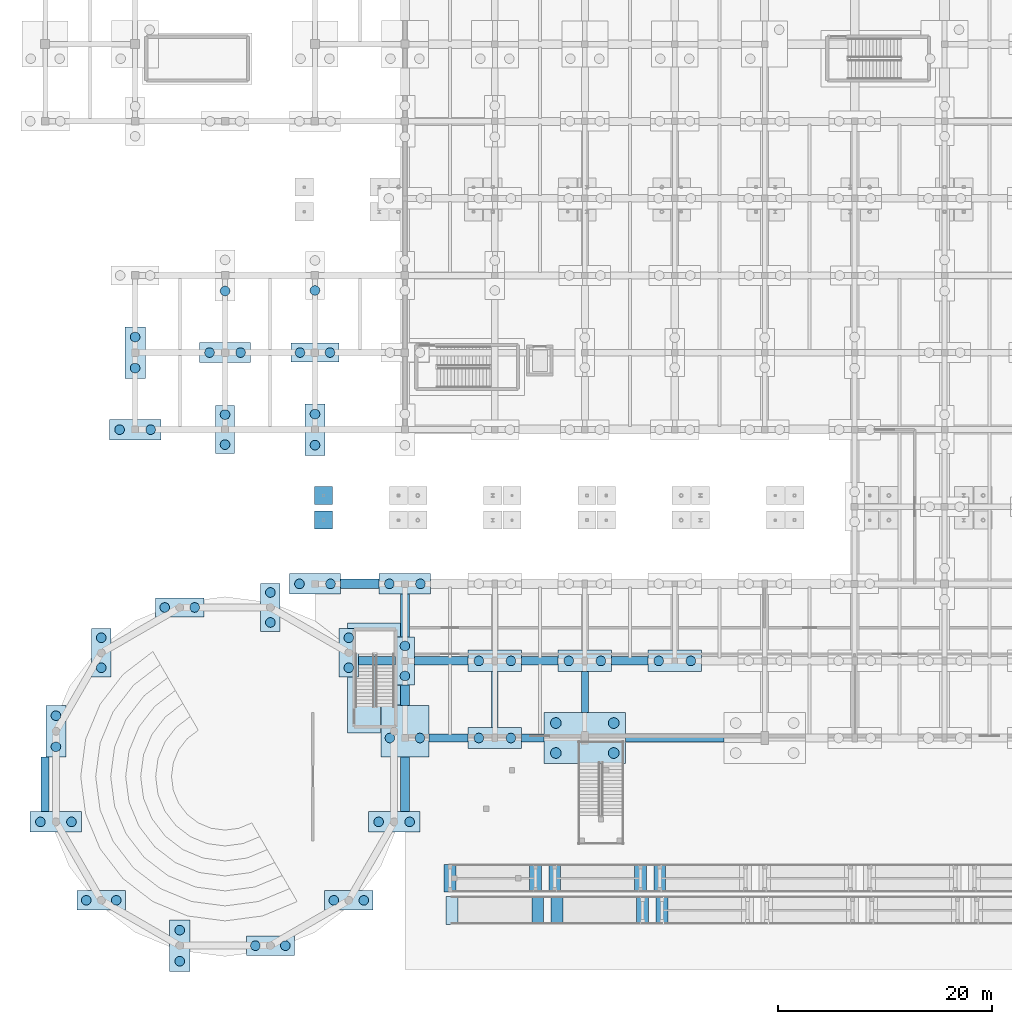
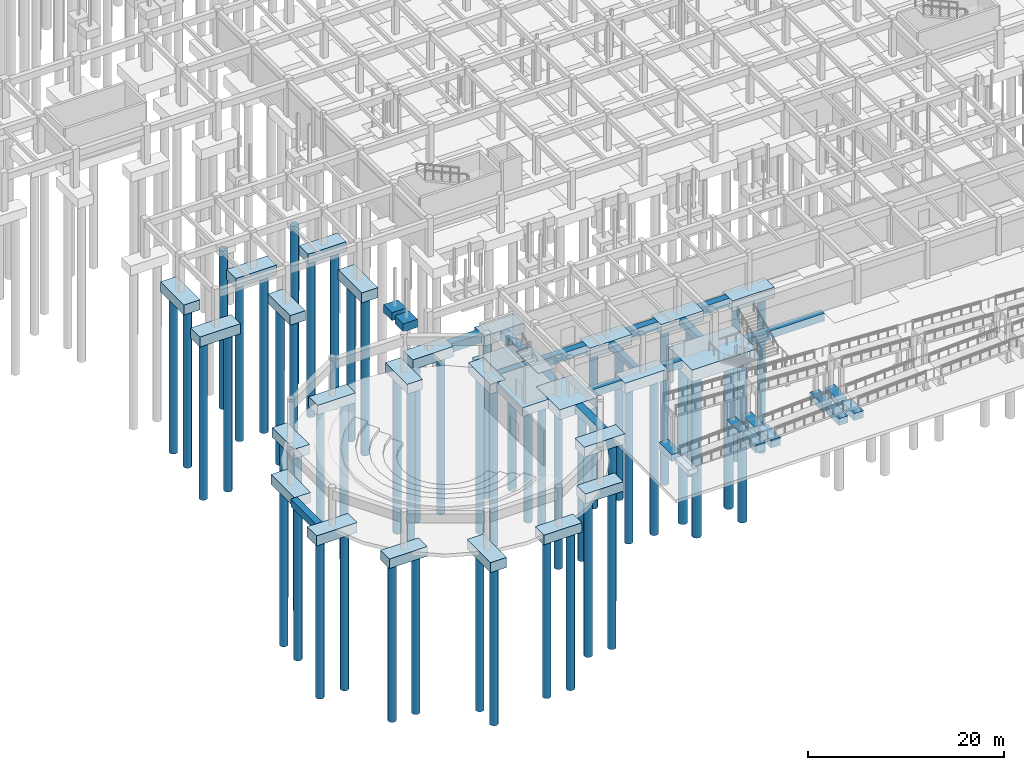
# One storey, part 1 of 80: 56 piles, 53 footings.
"""IFC4 building model written with IfcOpenShell, lengths in metres."""

from ifc_helpers import new_model, si_unit, direction, frame, origin, origin_2d, place, context, subcontext, project, spatial, polyline, rectangle, circle, outline, extrude, material, material_profile, profile_set, type_object, element, save


model = new_model("IFC4")

# Units and contexts
model_context = context("Model", 3, precision=1e-05, world=origin(), true_north=direction((0.0, 1.0)))
body_context = subcontext(model_context, "Body", "Model", "MODEL_VIEW")
ifc_project = project(units=[si_unit("LENGTHUNIT", "METRE"), si_unit("AREAUNIT", "SQUARE_METRE"), si_unit("VOLUMEUNIT", "CUBIC_METRE"), si_unit("PLANEANGLEUNIT", "RADIAN"), si_unit("MASSUNIT", "GRAM", prefix="KILO")], contexts=[model_context])

# Site, building, storey
site_placement = place(None, origin())
site = spatial("IfcSite", under=ifc_project, at=site_placement, CompositionType="ELEMENT")
building_placement = place(site_placement, origin())
building = spatial("IfcBuilding", under=site, at=building_placement, Name="Malvenik Polytechnic", CompositionType="ELEMENT")
storey_placement = place(building_placement, frame((0.0, 0.0, -4.800048828125)))
storey = spatial("IfcBuildingStorey", under=building, at=storey_placement, Name="B1", CompositionType="ELEMENT", Elevation=-4.800048828125)

# Footings
ifc_material = material(Name="Concrete C35/45", Category="concrete")
footing_type_1 = type_object("IfcFootingType", Name="STR-PC-1800x4500x1200", PredefinedType="PILE_CAP", material=ifc_material)
for number, where, z_axis, x_axis, name in (
    (1, (5.239013671875, 6.43896484375, -1.19970703125), (0.0, 0.0, 1.0), (1.0, 0.0, 0.0), "Pile Cap PC-01 #9"),
    (2, (12.568115234375, 33.79296875, -1.19970703125), (0.0, 0.0, 1.0), (1.0, 0.0, 0.0), "Pile Cap PC-01 #21"),
    (3, (21.031982421875, 2.20703125, -1.19970703125), (0.0, 0.0, 1.0), (1.0, 0.0, 0.0), "Pile Cap PC-01 #29"),
    (4, (25.199951171875, 57.60009765625, -1.19970703125), (0.0, 0.0, 1.0), (1.0, 0.0, 0.0), "Pile Cap PC-01 #33"),
    (5, (28.361083984375, 6.43896484375, -1.19970703125), (0.0, 0.0, 1.0), (1.0, 0.0, 0.0), "Pile Cap PC-01 #41"),
):
    element("IfcFooting", number, at=place(storey_placement, frame(where, z_axis=z_axis, x_axis=x_axis)), inside=storey, type_object=footing_type_1, Name=name, PredefinedType="PILE_CAP", context=body_context, shape_type="SweptSolid", body=[
        extrude(rectangle(XDim=4.5, YDim=1.800048828125, at=origin_2d()), origin(), (0.0, 0.0, 1.0), 1.199951171875),
    ])
footing_type_2 = type_object("IfcFootingType", Name="STR-PC-1900x4800x1250", PredefinedType="PILE_CAP", material=ifc_material)
for number, where, z_axis, x_axis, name in (
    (6, (1.007080078125, 13.76806640625, -1.25), (0.0, 0.0, 1.0), (1.0, 0.0, 0.0), "Pile Cap PC-13 #7"),
    (7, (8.39990234375, 50.39990234375, -1.25), (0.0, 0.0, 1.0), (1.0, 0.0, 0.0), "Pile Cap PC-13 #11"),
    (8, (16.800048828125, 57.60009765625, -1.25), (0.0, 0.0, 1.0), (1.0, 0.0, 0.0), "Pile Cap PC-13 #23"),
    (9, (25.199951171875, 36.0, -1.25), (0.0, 0.0, 1.0), (1.0, 0.0, 0.0), "Pile Cap PC-13 #31"),
    (10, (32.593017578125, 13.76806640625, -1.25), (0.0, 0.0, 1.0), (1.0, 0.0, 0.0), "Pile Cap PC-13 #43"),
    (11, (33.60009765625, 36.0, -1.25), (0.0, 0.0, 1.0), (1.0, 0.0, 0.0), "Pile Cap PC-13 #46"),
):
    element("IfcFooting", number, at=place(storey_placement, frame(where, z_axis=z_axis, x_axis=x_axis)), inside=storey, type_object=footing_type_2, Name=name, PredefinedType="PILE_CAP", context=body_context, shape_type="SweptSolid", body=[
        extrude(rectangle(XDim=4.800048828125, YDim=1.89990234375, at=origin_2d()), origin(), (0.0, 0.0, 1.0), 1.25),
    ])
footing_type_3 = type_object("IfcFootingType", Name="STR-PC-2000x5000x1300", PredefinedType="PILE_CAP", material=ifc_material)
for number, where, z_axis, x_axis, name in (
    (12, (42.0, 21.60009765625, -1.2998046875), (0.0, 0.0, 1.0), (1.0, 0.0, 0.0), "Pile Cap PC-03 #57"),
    (13, (42.0, 28.800048828125, -1.2998046875), (0.0, 0.0, 1.0), (1.0, 0.0, 0.0), "Pile Cap PC-03 #58"),
    (14, (50.39990234375, 28.800048828125, -1.2998046875), (0.0, 0.0, 1.0), (1.0, 0.0, 0.0), "Pile Cap PC-03 #70"),
    (15, (58.800048828125, 28.800048828125, -1.2998046875), (0.0, 0.0, 1.0), (1.0, 0.0, 0.0), "Pile Cap PC-03 #82"),
):
    element("IfcFooting", number, at=place(storey_placement, frame(where, z_axis=z_axis, x_axis=x_axis)), inside=storey, type_object=footing_type_3, Name=name, PredefinedType="PILE_CAP", context=body_context, shape_type="SweptSolid", body=[
        extrude(rectangle(XDim=5.0, YDim=2.0, at=origin_2d()), origin(), (0.0, 0.0, 1.0), 1.300048828125),
    ])
footing_type_4 = type_object("IfcFootingType", Name="STR-PC-4500x1800x1200", PredefinedType="PILE_CAP", material=ifc_material)
for number, where, z_axis, x_axis, name in (
    (16, (5.239013671875, 29.56103515625, -1.19970703125), (0.0, 0.0, 1.0), (1.0, 0.0, 0.0), "Pile Cap PC-02 #10"),
    (17, (16.800048828125, 50.39990234375, -1.19970703125), (0.0, 0.0, 1.0), (1.0, 0.0, 0.0), "Pile Cap PC-02 #22"),
    (18, (21.031982421875, 33.79296875, -1.19970703125), (0.0, 0.0, 1.0), (1.0, 0.0, 0.0), "Pile Cap PC-02 #30"),
    (19, (28.361083984375, 29.56103515625, -1.19970703125), (0.0, 0.0, 1.0), (1.0, 0.0, 0.0), "Pile Cap PC-02 #42"),
    (20, (33.60009765625, 28.800048828125, -1.19970703125), (0.0, 0.0, 1.0), (1.0, 0.0, 0.0), "Pile Cap PC-02 #45"),
):
    element("IfcFooting", number, at=place(storey_placement, frame(where, z_axis=z_axis, x_axis=x_axis)), inside=storey, type_object=footing_type_4, Name=name, PredefinedType="PILE_CAP", context=body_context, shape_type="SweptSolid", body=[
        extrude(rectangle(XDim=1.800048828125, YDim=4.5, at=origin_2d()), origin(), (0.0, 0.0, 1.0), 1.199951171875),
    ])
footing_type_5 = type_object("IfcFootingType", Name="STR-PC-4800x1900x1250", PredefinedType="PILE_CAP", material=ifc_material)
for number, where, z_axis, x_axis, name in (
    (21, (1.007080078125, 22.23193359375, -1.25), (0.0, 0.0, 1.0), (1.0, 0.0, 0.0), "Pile Cap PC-14 #8"),
    (22, (8.39990234375, 57.60009765625, -1.25), (0.0, 0.0, 1.0), (1.0, 0.0, 0.0), "Pile Cap PC-14 #12"),
    (23, (12.568115234375, 2.20703125, -1.25), (0.0, 0.0, 1.0), (1.0, 0.0, 0.0), "Pile Cap PC-14 #20"),
    (24, (25.199951171875, 50.39990234375, -1.25), (0.0, 0.0, 1.0), (1.0, 0.0, 0.0), "Pile Cap PC-14 #32"),
):
    element("IfcFooting", number, at=place(storey_placement, frame(where, z_axis=z_axis, x_axis=x_axis)), inside=storey, type_object=footing_type_5, Name=name, PredefinedType="PILE_CAP", context=body_context, shape_type="SweptSolid", body=[
        extrude(rectangle(XDim=1.89990234375, YDim=4.800048828125, at=origin_2d()), origin(), (0.0, 0.0, 1.0), 1.25),
    ])
footing_type_6 = type_object("IfcFootingType", Name="STR-PC-COMB-12", PredefinedType="PILE_CAP", material=ifc_material)
footing_1_placement = place(storey_placement, frame((33.60009765625, 22.23193359375, -1.25), z_axis=(0.0, 0.0, 1.0), x_axis=(1.0, 0.0, 0.0)))
element("IfcFooting", 25, at=footing_1_placement, inside=storey, type_object=footing_type_6, Name="Pile Cap PCC-12 #44", PredefinedType="PILE_CAP", context=body_context, shape_type="SweptSolid", body=[
    extrude(rectangle(XDim=4.5, YDim=4.800048828125, at=origin_2d()), origin(), (0.0, 0.0, 1.0), 1.25),
])
footing_type_7 = type_object("IfcFootingType", Name="STR-PC-COMB-19", PredefinedType="PILE_CAP", material=ifc_material)
footing_2_placement = place(storey_placement, frame((50.39990234375, 21.60009765625, -1.5), z_axis=(0.0, 0.0, 1.0), x_axis=(1.0, 0.0, 0.0)))
element("IfcFooting", 26, at=footing_2_placement, inside=storey, type_object=footing_type_7, Name="Pile Cap PCC-19 #69", PredefinedType="PILE_CAP", context=body_context, shape_type="SweptSolid", body=[
    extrude(rectangle(XDim=7.60009765625, YDim=4.800048828125, at=origin_2d()), origin(), (0.0, 0.0, 1.0), 1.5),
])

# Piles
ifc_material_profile_1 = material_profile(ifc_material, circle(Radius=0.5, at=origin_2d()), Name="BORED PILE D1000")
ifc_profile_set_1 = profile_set([ifc_material_profile_1], Name="Concrete C35/45")
pile_type_1 = type_object("IfcPileType", Name="STR-PL-D1000-202", PredefinedType="BORED", material=ifc_profile_set_1)
for number, where, z_axis, x_axis, name in (
    (27, (47.699951171875, 20.199951171875, -1.39990234375), (0.0, 0.0, -1.0), (1.0, 0.0, 0.0), "Bored Pile PL-06 #159"),
    (28, (47.699951171875, 23.0, -1.39990234375), (0.0, 0.0, -1.0), (1.0, 0.0, 0.0), "Bored Pile PL-06 #160"),
    (29, (53.10009765625, 20.199951171875, -1.39990234375), (0.0, 0.0, -1.0), (1.0, 0.0, 0.0), "Bored Pile PL-06 #161"),
    (30, (53.10009765625, 23.0, -1.39990234375), (0.0, 0.0, -1.0), (1.0, 0.0, 0.0), "Bored Pile PL-06 #162"),
):
    element("IfcPile", number, at=place(storey_placement, frame(where, z_axis=z_axis, x_axis=x_axis)), inside=storey, type_object=pile_type_1, Name=name, PredefinedType="BORED", context=body_context, shape_type="SweptSolid", body=[
        extrude(circle(Radius=0.5, at=origin_2d()), origin(), (0.0, 0.0, 1.0), 20.199951171875),
    ])
ifc_material_profile_2 = material_profile(ifc_material, circle(Radius=0.449951171875, at=origin_2d()), Name="BORED PILE D900")
ifc_profile_set_2 = profile_set([ifc_material_profile_2], Name="Concrete C35/45")
pile_type_2 = type_object("IfcPileType", Name="STR-PL-D900-195", PredefinedType="BORED", material=ifc_profile_set_2)
for number, where, z_axis, x_axis, name in (
    (31, (40.5, 21.60009765625, -1.199951171875), (0.0, 0.0, -1.0), (1.0, 0.0, 0.0), "Bored Pile PL-01 #131"),
    (32, (43.5, 21.60009765625, -1.199951171875), (0.0, 0.0, -1.0), (1.0, 0.0, 0.0), "Bored Pile PL-01 #132"),
    (33, (40.5, 28.800048828125, -1.199951171875), (0.0, 0.0, -1.0), (1.0, 0.0, 0.0), "Bored Pile PL-01 #133"),
    (34, (43.5, 28.800048828125, -1.199951171875), (0.0, 0.0, -1.0), (1.0, 0.0, 0.0), "Bored Pile PL-01 #134"),
    (35, (48.89990234375, 28.800048828125, -1.199951171875), (0.0, 0.0, -1.0), (1.0, 0.0, 0.0), "Bored Pile PL-01 #163"),
    (36, (51.89990234375, 28.800048828125, -1.199951171875), (0.0, 0.0, -1.0), (1.0, 0.0, 0.0), "Bored Pile PL-01 #164"),
    (37, (57.300048828125, 28.800048828125, -1.199951171875), (0.0, 0.0, -1.0), (1.0, 0.0, 0.0), "Bored Pile PL-01 #191"),
    (38, (60.300048828125, 28.800048828125, -1.199951171875), (0.0, 0.0, -1.0), (1.0, 0.0, 0.0), "Bored Pile PL-01 #192"),
):
    element("IfcPile", number, at=place(storey_placement, frame(where, z_axis=z_axis, x_axis=x_axis)), inside=storey, type_object=pile_type_2, Name=name, PredefinedType="BORED", context=body_context, shape_type="SweptSolid", body=[
        extrude(circle(Radius=0.449951171875, at=origin_2d()), origin(), (0.0, 0.0, 1.0), 19.5),
    ])
ifc_material_profile_3 = material_profile(ifc_material, circle(Radius=0.449951171875, at=origin_2d()), Name="BORED PILE D900")
ifc_profile_set_3 = profile_set([ifc_material_profile_3], Name="Concrete C35/45")
pile_type_3 = type_object("IfcPileType", Name="STR-PL-D900-198", PredefinedType="BORED", material=ifc_profile_set_3)
for number, where, z_axis, x_axis, name in (
    (39, (-0.443115234375, 13.76806640625, -1.14990234375), (0.0, 0.0, -1.0), (1.0, 0.0, 0.0), "Bored Pile PL-02 #17"),
    (40, (2.45703125, 13.76806640625, -1.14990234375), (0.0, 0.0, -1.0), (1.0, 0.0, 0.0), "Bored Pile PL-02 #18"),
    (41, (1.007080078125, 20.781982421875, -1.14990234375), (0.0, 0.0, -1.0), (1.0, 0.0, 0.0), "Bored Pile PL-02 #19"),
    (42, (1.007080078125, 23.681884765625, -1.14990234375), (0.0, 0.0, -1.0), (1.0, 0.0, 0.0), "Bored Pile PL-02 #20"),
    (43, (3.839111328125, 6.43896484375, -1.099853515625), (0.0, 0.0, -1.0), (1.0, 0.0, 0.0), "Bored Pile PL-02 #21"),
    (44, (6.638916015625, 6.43896484375, -1.099853515625), (0.0, 0.0, -1.0), (1.0, 0.0, 0.0), "Bored Pile PL-02 #22"),
    (45, (5.239013671875, 28.160888671875, -1.099853515625), (0.0, 0.0, -1.0), (1.0, 0.0, 0.0), "Bored Pile PL-02 #23"),
    (46, (5.239013671875, 30.9609375, -1.099853515625), (0.0, 0.0, -1.0), (1.0, 0.0, 0.0), "Bored Pile PL-02 #24"),
    (47, (6.949951171875, 50.39990234375, -1.14990234375), (0.0, 0.0, -1.0), (1.0, 0.0, 0.0), "Bored Pile PL-02 #25"),
    (48, (9.85009765625, 50.39990234375, -1.14990234375), (0.0, 0.0, -1.0), (1.0, 0.0, 0.0), "Bored Pile PL-02 #26"),
    (49, (8.39990234375, 56.14990234375, -1.14990234375), (0.0, 0.0, -1.0), (1.0, 0.0, 0.0), "Bored Pile PL-02 #27"),
    (50, (8.39990234375, 59.050048828125, -1.14990234375), (0.0, 0.0, -1.0), (1.0, 0.0, 0.0), "Bored Pile PL-02 #28"),
    (51, (12.568115234375, 0.757080078125, -1.14990234375), (0.0, 0.0, -1.0), (1.0, 0.0, 0.0), "Bored Pile PL-02 #47"),
    (52, (12.568115234375, 3.656982421875, -1.14990234375), (0.0, 0.0, -1.0), (1.0, 0.0, 0.0), "Bored Pile PL-02 #48"),
    (53, (11.16796875, 33.79296875, -1.099853515625), (0.0, 0.0, -1.0), (1.0, 0.0, 0.0), "Bored Pile PL-02 #49"),
    (54, (13.968017578125, 33.79296875, -1.099853515625), (0.0, 0.0, -1.0), (1.0, 0.0, 0.0), "Bored Pile PL-02 #50"),
    (55, (16.800048828125, 49.0, -1.099853515625), (0.0, 0.0, -1.0), (1.0, 0.0, 0.0), "Bored Pile PL-02 #51"),
    (56, (16.800048828125, 51.800048828125, -1.099853515625), (0.0, 0.0, -1.0), (1.0, 0.0, 0.0), "Bored Pile PL-02 #52"),
    (57, (15.35009765625, 57.60009765625, -1.14990234375), (0.0, 0.0, -1.0), (1.0, 0.0, 0.0), "Bored Pile PL-02 #53"),
    (58, (18.25, 57.60009765625, -1.14990234375), (0.0, 0.0, -1.0), (1.0, 0.0, 0.0), "Bored Pile PL-02 #54"),
    (59, (16.800048828125, 63.35009765625, -1.14990234375), (0.0, 0.0, -1.0), (1.0, 0.0, 0.0), "Bored Pile PL-02 #55"),
    (60, (19.632080078125, 2.20703125, -1.099853515625), (0.0, 0.0, -1.0), (1.0, 0.0, 0.0), "Bored Pile PL-02 #67"),
    (61, (22.431884765625, 2.20703125, -1.099853515625), (0.0, 0.0, -1.0), (1.0, 0.0, 0.0), "Bored Pile PL-02 #68"),
    (62, (21.031982421875, 32.39306640625, -1.099853515625), (0.0, 0.0, -1.0), (1.0, 0.0, 0.0), "Bored Pile PL-02 #69"),
    (63, (21.031982421875, 35.193115234375, -1.099853515625), (0.0, 0.0, -1.0), (1.0, 0.0, 0.0), "Bored Pile PL-02 #70"),
    (64, (23.75, 36.0, -1.14990234375), (0.0, 0.0, -1.0), (1.0, 0.0, 0.0), "Bored Pile PL-02 #71"),
    (65, (26.64990234375, 36.0, -1.14990234375), (0.0, 0.0, -1.0), (1.0, 0.0, 0.0), "Bored Pile PL-02 #72"),
    (66, (25.199951171875, 48.949951171875, -1.14990234375), (0.0, 0.0, -1.0), (1.0, 0.0, 0.0), "Bored Pile PL-02 #73"),
    (67, (25.199951171875, 51.85009765625, -1.14990234375), (0.0, 0.0, -1.0), (1.0, 0.0, 0.0), "Bored Pile PL-02 #74"),
    (68, (23.800048828125, 57.60009765625, -1.099853515625), (0.0, 0.0, -1.0), (1.0, 0.0, 0.0), "Bored Pile PL-02 #75"),
    (69, (26.60009765625, 57.60009765625, -1.099853515625), (0.0, 0.0, -1.0), (1.0, 0.0, 0.0), "Bored Pile PL-02 #76"),
    (70, (25.199951171875, 63.39990234375, -1.099853515625), (0.0, 0.0, -1.0), (1.0, 0.0, 0.0), "Bored Pile PL-02 #77"),
    (71, (26.9609375, 6.43896484375, -1.099853515625), (0.0, 0.0, -1.0), (1.0, 0.0, 0.0), "Bored Pile PL-02 #95"),
    (72, (29.760986328125, 6.43896484375, -1.099853515625), (0.0, 0.0, -1.0), (1.0, 0.0, 0.0), "Bored Pile PL-02 #96"),
    (73, (28.361083984375, 28.160888671875, -1.099853515625), (0.0, 0.0, -1.0), (1.0, 0.0, 0.0), "Bored Pile PL-02 #97"),
    (74, (28.361083984375, 30.9609375, -1.099853515625), (0.0, 0.0, -1.0), (1.0, 0.0, 0.0), "Bored Pile PL-02 #98"),
    (75, (31.14306640625, 13.76806640625, -1.14990234375), (0.0, 0.0, -1.0), (1.0, 0.0, 0.0), "Bored Pile PL-02 #99"),
    (76, (34.04296875, 13.76806640625, -1.14990234375), (0.0, 0.0, -1.0), (1.0, 0.0, 0.0), "Bored Pile PL-02 #100"),
    (77, (32.199951171875, 21.60009765625, -1.14990234375), (0.0, 0.0, -1.0), (1.0, 0.0, 0.0), "Bored Pile PL-02 #101"),
    (78, (35.0, 21.60009765625, -1.14990234375), (0.0, 0.0, -1.0), (1.0, 0.0, 0.0), "Bored Pile PL-02 #102"),
    (79, (33.60009765625, 27.39990234375, -1.099853515625), (0.0, 0.0, -1.0), (1.0, 0.0, 0.0), "Bored Pile PL-02 #103"),
    (80, (33.60009765625, 30.199951171875, -1.099853515625), (0.0, 0.0, -1.0), (1.0, 0.0, 0.0), "Bored Pile PL-02 #104"),
    (81, (32.14990234375, 36.0, -1.14990234375), (0.0, 0.0, -1.0), (1.0, 0.0, 0.0), "Bored Pile PL-02 #105"),
    (82, (35.050048828125, 36.0, -1.14990234375), (0.0, 0.0, -1.0), (1.0, 0.0, 0.0), "Bored Pile PL-02 #106"),
):
    element("IfcPile", number, at=place(storey_placement, frame(where, z_axis=z_axis, x_axis=x_axis)), inside=storey, type_object=pile_type_3, Name=name, PredefinedType="BORED", context=body_context, shape_type="SweptSolid", body=[
        extrude(circle(Radius=0.449951171875, at=origin_2d()), origin(), (0.0, 0.0, 1.0), 19.800048828125),
    ])

# Footings
footing_type_8 = type_object("IfcFootingType", Name="STR-SF-600x800", PredefinedType="STRIP_FOOTING", material=ifc_material)
footing_3_placement = place(storey_placement, frame((0.0, 0.0, -0.800048828125)))
element("IfcFooting", 83, at=footing_3_placement, inside=storey, type_object=footing_type_8, Name="Ground Tie Beam SF-01 #193", PredefinedType="STRIP_FOOTING", context=body_context, shape_type="SweptSolid", body=[
    extrude(outline(polyline([(41.699951171875, 22.60009765625), (42.300048828125, 22.60009765625), (42.300048828125, 27.800048828125), (41.699951171875, 27.800048828125), (41.699951171875, 22.60009765625)])), origin(), (0.0, 0.0, 1.0), 0.800048828125),
])
footing_type_9 = type_object("IfcFootingType", Name="STR-SF-650x850", PredefinedType="STRIP_FOOTING", material=ifc_material)
footing_4_placement = place(storey_placement, frame((0.0, 0.0, -0.849853515625)))
element("IfcFooting", 84, at=footing_4_placement, inside=storey, type_object=footing_type_9, Name="Ground Tie Beam SF-02 #202", PredefinedType="STRIP_FOOTING", context=body_context, shape_type="SweptSolid", body=[
    extrude(outline(polyline([(50.074951171875, 24.0), (50.72509765625, 24.0), (50.72509765625, 27.800048828125), (50.074951171875, 27.800048828125), (50.074951171875, 24.0)])), origin(), (0.0, 0.0, 1.0), 0.849853515625),
])
footing_type_10 = type_object("IfcFootingType", Name="STR-SF-750x950", PredefinedType="STRIP_FOOTING", material=ifc_material)
footing_5_placement = place(storey_placement, frame((0.0, 0.0, -0.949951171875)))
element("IfcFooting", 85, at=footing_5_placement, inside=storey, type_object=footing_type_10, Name="Ground Tie Beam SF-04 #1", PredefinedType="STRIP_FOOTING", context=body_context, shape_type="SweptSolid", body=[
    extrude(outline(polyline([(35.85009765625, 21.22509765625), (39.5, 21.22509765625), (39.5, 21.97509765625), (35.85009765625, 21.97509765625), (35.85009765625, 21.22509765625)])), origin(), (0.0, 0.0, 1.0), 0.949951171875),
])
footing_6_placement = place(storey_placement, frame((0.0, 0.0, -0.949951171875)))
element("IfcFooting", 86, at=footing_6_placement, inside=storey, type_object=footing_type_10, Name="Ground Tie Beam SF-04 #2", PredefinedType="STRIP_FOOTING", context=body_context, shape_type="SweptSolid", body=[
    extrude(outline(polyline([(44.5, 21.22509765625), (46.60009765625, 21.22509765625), (46.60009765625, 21.97509765625), (44.5, 21.97509765625), (44.5, 21.22509765625)])), origin(), (0.0, 0.0, 1.0), 0.949951171875),
])
footing_7_placement = place(storey_placement, frame((0.0, 0.0, -0.949951171875)))
element("IfcFooting", 87, at=footing_7_placement, inside=storey, type_object=footing_type_10, Name="Ground Tie Beam SF-04 #3", PredefinedType="STRIP_FOOTING", context=body_context, shape_type="SweptSolid", body=[
    extrude(outline(polyline([(54.199951171875, 21.22509765625), (63.39990234375, 21.22509765625), (63.39990234375, 21.97509765625), (54.199951171875, 21.97509765625), (54.199951171875, 21.22509765625)])), origin(), (0.0, 0.0, 1.0), 0.949951171875),
])
footing_8_placement = place(storey_placement, frame((0.0, 0.0, -0.949951171875)))
element("IfcFooting", 88, at=footing_8_placement, inside=storey, type_object=footing_type_10, Name="Ground Tie Beam SF-04 #174", PredefinedType="STRIP_FOOTING", context=body_context, shape_type="SweptSolid", body=[
    extrude(outline(polyline([(-0.375, 14.718017578125), (0.375, 14.718017578125), (0.375, 19.83203125), (-0.375, 19.83203125), (-0.375, 14.718017578125)])), origin(), (0.0, 0.0, 1.0), 0.949951171875),
])
footing_type_11 = type_object("IfcFootingType", Name="STR-SF-800x1000", PredefinedType="STRIP_FOOTING", material=ifc_material)
footing_9_placement = place(storey_placement, frame((0.0, 0.0, -1.0)))
element("IfcFooting", 89, at=footing_9_placement, inside=storey, type_object=footing_type_11, Name="Ground Tie Beam SF-05 #12", PredefinedType="STRIP_FOOTING", context=body_context, shape_type="SweptSolid", body=[
    extrude(outline(polyline([(29.260986328125, 28.39990234375), (32.699951171875, 28.39990234375), (32.699951171875, 29.199951171875), (29.260986328125, 29.199951171875), (29.260986328125, 28.39990234375)])), origin(), (0.0, 0.0, 1.0), 1.0),
])
footing_10_placement = place(storey_placement, frame((0.0, 0.0, -1.0)))
element("IfcFooting", 90, at=footing_10_placement, inside=storey, type_object=footing_type_11, Name="Ground Tie Beam SF-05 #13", PredefinedType="STRIP_FOOTING", context=body_context, shape_type="SweptSolid", body=[
    extrude(outline(polyline([(34.5, 28.39990234375), (39.5, 28.39990234375), (39.5, 29.199951171875), (34.5, 29.199951171875), (34.5, 28.39990234375)])), origin(), (0.0, 0.0, 1.0), 1.0),
])
footing_11_placement = place(storey_placement, frame((0.0, 0.0, -1.0)))
element("IfcFooting", 91, at=footing_11_placement, inside=storey, type_object=footing_type_11, Name="Ground Tie Beam SF-05 #14", PredefinedType="STRIP_FOOTING", context=body_context, shape_type="SweptSolid", body=[
    extrude(outline(polyline([(44.5, 28.39990234375), (47.89990234375, 28.39990234375), (47.89990234375, 29.199951171875), (44.5, 29.199951171875), (44.5, 28.39990234375)])), origin(), (0.0, 0.0, 1.0), 1.0),
])
footing_12_placement = place(storey_placement, frame((0.0, 0.0, -1.0)))
element("IfcFooting", 92, at=footing_12_placement, inside=storey, type_object=footing_type_11, Name="Ground Tie Beam SF-05 #15", PredefinedType="STRIP_FOOTING", context=body_context, shape_type="SweptSolid", body=[
    extrude(outline(polyline([(52.89990234375, 28.39990234375), (56.300048828125, 28.39990234375), (56.300048828125, 29.199951171875), (52.89990234375, 29.199951171875), (52.89990234375, 28.39990234375)])), origin(), (0.0, 0.0, 1.0), 1.0),
])
footing_13_placement = place(storey_placement, frame((0.0, 0.0, -1.0)))
element("IfcFooting", 93, at=footing_13_placement, inside=storey, type_object=footing_type_11, Name="Bridge-Ramp Pier Footing #1.1", PredefinedType="STRIP_FOOTING", context=body_context, shape_type="SweptSolid", body=[
    extrude(outline(polyline([(25.14990234375, 41.10009765625), (25.14990234375, 42.800048828125), (26.85009765625, 42.800048828125), (26.85009765625, 41.10009765625), (25.14990234375, 41.10009765625)])), origin(), (0.0, 0.0, 1.0), 1.0),
])
footing_14_placement = place(storey_placement, frame((0.0, 0.0, -1.0)))
element("IfcFooting", 94, at=footing_14_placement, inside=storey, type_object=footing_type_11, Name="Bridge-Ramp Pier Footing #2.1", PredefinedType="STRIP_FOOTING", context=body_context, shape_type="SweptSolid", body=[
    extrude(outline(polyline([(25.14990234375, 43.39990234375), (25.14990234375, 45.10009765625), (26.85009765625, 45.10009765625), (26.85009765625, 43.39990234375), (25.14990234375, 43.39990234375)])), origin(), (0.0, 0.0, 1.0), 1.0),
])
footing_15_placement = place(storey_placement, frame((0.0, 0.0, -0.849853515625)))
element("IfcFooting", 95, at=footing_15_placement, inside=storey, type_object=footing_type_11, Name="Forecourt Ramp Plinth Footing RB-04-0", PredefinedType="STRIP_FOOTING", context=body_context, shape_type="SweptSolid", body=[
    extrude(outline(polyline([(37.449951171875, 4.199951171875), (37.449951171875, 6.800048828125), (38.550048828125, 6.800048828125), (38.550048828125, 4.199951171875), (37.449951171875, 4.199951171875)])), origin(), (0.0, 0.0, 1.0), 0.64990234375),
])
footing_16_placement = place(storey_placement, frame((0.0, 0.0, -0.849853515625)))
element("IfcFooting", 96, at=footing_16_placement, inside=storey, type_object=footing_type_11, Name="Forecourt Ramp Plinth Footing RB-04-1", PredefinedType="STRIP_FOOTING", context=body_context, shape_type="SweptSolid", body=[
    extrude(outline(polyline([(45.449951171875, 4.199951171875), (45.449951171875, 6.800048828125), (46.550048828125, 6.800048828125), (46.550048828125, 4.199951171875), (45.449951171875, 4.199951171875)])), origin(), (0.0, 0.0, 1.0), 1.0498046875),
])
footing_17_placement = place(storey_placement, frame((0.0, 0.0, -0.849853515625)))
element("IfcFooting", 97, at=footing_17_placement, inside=storey, type_object=footing_type_11, Name="Forecourt Ramp Plinth Footing RB-04-2", PredefinedType="STRIP_FOOTING", context=body_context, shape_type="SweptSolid", body=[
    extrude(outline(polyline([(47.25, 4.199951171875), (47.25, 6.800048828125), (48.35009765625, 6.800048828125), (48.35009765625, 4.199951171875), (47.25, 4.199951171875)])), origin(), (0.0, 0.0, 1.0), 1.0498046875),
])
footing_18_placement = place(storey_placement, frame((0.0, 0.0, -0.849853515625)))
element("IfcFooting", 98, at=footing_18_placement, inside=storey, type_object=footing_type_11, Name="Forecourt Ramp Pier Footing RB-04-3", PredefinedType="STRIP_FOOTING", context=body_context, shape_type="SweptSolid", body=[
    extrude(outline(polyline([(55.25, 4.199951171875), (55.25, 6.800048828125), (56.35009765625, 6.800048828125), (56.35009765625, 4.199951171875), (55.25, 4.199951171875)])), origin(), (0.0, 0.0, 1.0), 0.849853515625),
])
footing_19_placement = place(storey_placement, frame((0.0, 0.0, -0.849853515625)))
element("IfcFooting", 99, at=footing_19_placement, inside=storey, type_object=footing_type_11, Name="Forecourt Ramp Pier Footing RB-04-4", PredefinedType="STRIP_FOOTING", context=body_context, shape_type="SweptSolid", body=[
    extrude(outline(polyline([(57.050048828125, 4.199951171875), (57.050048828125, 6.800048828125), (58.14990234375, 6.800048828125), (58.14990234375, 4.199951171875), (57.050048828125, 4.199951171875)])), origin(), (0.0, 0.0, 1.0), 0.849853515625),
])
footing_20_placement = place(storey_placement, frame((0.0, 0.0, -0.849853515625)))
element("IfcFooting", 100, at=footing_20_placement, inside=storey, type_object=footing_type_11, Name="Forecourt Ramp Pier Footing RB-05-7", PredefinedType="STRIP_FOOTING", context=body_context, shape_type="SweptSolid", body=[
    extrude(outline(polyline([(56.85009765625, 7.199951171875), (56.85009765625, 9.800048828125), (57.949951171875, 9.800048828125), (57.949951171875, 7.199951171875), (56.85009765625, 7.199951171875)])), origin(), (0.0, 0.0, 1.0), 0.849853515625),
])
footing_21_placement = place(storey_placement, frame((0.0, 0.0, -0.849853515625)))
element("IfcFooting", 101, at=footing_21_placement, inside=storey, type_object=footing_type_11, Name="Forecourt Ramp Pier Footing RB-05-8", PredefinedType="STRIP_FOOTING", context=body_context, shape_type="SweptSolid", body=[
    extrude(outline(polyline([(55.050048828125, 7.199951171875), (55.050048828125, 9.800048828125), (56.14990234375, 9.800048828125), (56.14990234375, 7.199951171875), (55.050048828125, 7.199951171875)])), origin(), (0.0, 0.0, 1.0), 0.849853515625),
])
footing_22_placement = place(storey_placement, frame((0.0, 0.0, -0.849853515625)))
element("IfcFooting", 102, at=footing_22_placement, inside=storey, type_object=footing_type_11, Name="Forecourt Ramp Pier Footing RB-05-9", PredefinedType="STRIP_FOOTING", context=body_context, shape_type="SweptSolid", body=[
    extrude(outline(polyline([(47.050048828125, 7.199951171875), (47.050048828125, 9.800048828125), (48.14990234375, 9.800048828125), (48.14990234375, 7.199951171875), (47.050048828125, 7.199951171875)])), origin(), (0.0, 0.0, 1.0), 0.849853515625),
])
footing_23_placement = place(storey_placement, frame((0.0, 0.0, -0.849853515625)))
element("IfcFooting", 103, at=footing_23_placement, inside=storey, type_object=footing_type_11, Name="Forecourt Ramp Pier Footing RB-05-10", PredefinedType="STRIP_FOOTING", context=body_context, shape_type="SweptSolid", body=[
    extrude(outline(polyline([(45.25, 7.199951171875), (45.25, 9.800048828125), (46.35009765625, 9.800048828125), (46.35009765625, 7.199951171875), (45.25, 7.199951171875)])), origin(), (0.0, 0.0, 1.0), 0.849853515625),
])
footing_24_placement = place(storey_placement, frame((0.0, 0.0, -0.849853515625)))
element("IfcFooting", 104, at=footing_24_placement, inside=storey, type_object=footing_type_11, Name="Forecourt Ramp Pier Footing RB-05-11", PredefinedType="STRIP_FOOTING", context=body_context, shape_type="SweptSolid", body=[
    extrude(outline(polyline([(37.25, 7.199951171875), (37.25, 9.800048828125), (38.35009765625, 9.800048828125), (38.35009765625, 7.199951171875), (37.25, 7.199951171875)])), origin(), (0.0, 0.0, 1.0), 0.849853515625),
])
footing_type_12 = type_object("IfcFootingType", Name="STR-SF-850x1050", PredefinedType="STRIP_FOOTING", material=ifc_material)
footing_25_placement = place(storey_placement, frame((0.0, 0.0, -1.050048828125)))
element("IfcFooting", 105, at=footing_25_placement, inside=storey, type_object=footing_type_12, Name="Ground Tie Beam SF-08 #182", PredefinedType="STRIP_FOOTING", context=body_context, shape_type="SweptSolid", body=[
    extrude(outline(polyline([(33.175048828125, 14.718017578125), (34.02490234375, 14.718017578125), (34.02490234375, 19.83203125), (33.175048828125, 19.83203125), (33.175048828125, 14.718017578125)])), origin(), (0.0, 0.0, 1.0), 1.050048828125),
])
footing_26_placement = place(storey_placement, frame((0.0, 0.0, -1.050048828125)))
element("IfcFooting", 106, at=footing_26_placement, inside=storey, type_object=footing_type_12, Name="Ground Tie Beam SF-08 #183", PredefinedType="STRIP_FOOTING", context=body_context, shape_type="SweptSolid", body=[
    extrude(outline(polyline([(33.175048828125, 24.632080078125), (34.02490234375, 24.632080078125), (34.02490234375, 26.550048828125), (33.175048828125, 26.550048828125), (33.175048828125, 24.632080078125)])), origin(), (0.0, 0.0, 1.0), 1.050048828125),
])
footing_27_placement = place(storey_placement, frame((0.0, 0.0, -1.050048828125)))
element("IfcFooting", 107, at=footing_27_placement, inside=storey, type_object=footing_type_12, Name="Ground Tie Beam SF-08 #184", PredefinedType="STRIP_FOOTING", context=body_context, shape_type="SweptSolid", body=[
    extrude(outline(polyline([(33.175048828125, 31.050048828125), (34.02490234375, 31.050048828125), (34.02490234375, 35.050048828125), (33.175048828125, 35.050048828125), (33.175048828125, 31.050048828125)])), origin(), (0.0, 0.0, 1.0), 1.050048828125),
])
footing_type_13 = type_object("IfcFootingType", Name="STR-SF-900x1100", PredefinedType="STRIP_FOOTING", material=ifc_material)
footing_28_placement = place(storey_placement, frame((0.0, 0.0, -1.099853515625)))
element("IfcFooting", 108, at=footing_28_placement, inside=storey, type_object=footing_type_13, Name="Ground Tie Beam SF-06 #30", PredefinedType="STRIP_FOOTING", context=body_context, shape_type="SweptSolid", body=[
    extrude(outline(polyline([(27.60009765625, 35.550048828125), (31.199951171875, 35.550048828125), (31.199951171875, 36.449951171875), (27.60009765625, 36.449951171875), (27.60009765625, 35.550048828125)])), origin(), (0.0, 0.0, 1.0), 1.099853515625),
])
footing_29_placement = place(storey_placement, frame((0.0, 0.0, -1.099853515625)))
element("IfcFooting", 109, at=footing_29_placement, inside=storey, type_object=footing_type_13, Name="Core Wall Strip Footing #331", PredefinedType="STRIP_FOOTING", context=body_context, shape_type="SweptSolid", body=[
    extrude(outline(polyline([(33.35009765625, 24.662109375), (31.35009765625, 24.662109375), (31.34716796875, 24.661865234375), (31.343994140625, 24.661376953125), (31.34130859375, 24.66064453125), (31.33837890625, 24.65966796875), (31.3359375, 24.658447265625), (31.333251953125, 24.656982421875), (31.3310546875, 24.6552734375), (31.328857421875, 24.6533203125), (31.326904296875, 24.65087890625), (31.3251953125, 24.648681640625), (31.323486328125, 24.64599609375), (31.322265625, 24.6435546875), (31.3212890625, 24.640625), (31.320556640625, 24.637939453125), (31.320068359375, 24.635009765625), (31.320068359375, 24.632080078125), (31.320068359375, 22.050048828125), (28.25, 22.050048828125), (28.25, 27.281005859375), (29.260986328125, 27.281005859375), (29.263916015625, 27.281005859375), (29.266845703125, 27.281494140625), (29.269775390625, 27.2822265625), (29.2724609375, 27.283203125), (29.275146484375, 27.284423828125), (29.277587890625, 27.2861328125), (29.280029296875, 27.287841796875), (29.2822265625, 27.289794921875), (29.2841796875, 27.2919921875), (29.285888671875, 27.294189453125), (29.28759765625, 27.296875), (29.288818359375, 27.299560546875), (29.289794921875, 27.30224609375), (29.290283203125, 27.30517578125), (29.291015625, 27.30810546875), (29.291015625, 27.31103515625), (29.291015625, 31.81103515625), (29.291015625, 31.81396484375), (29.290283203125, 31.81689453125), (29.289794921875, 31.819580078125), (29.288818359375, 31.822509765625), (29.28759765625, 31.8251953125), (29.285888671875, 31.82763671875), (29.2841796875, 31.830078125), (29.2822265625, 31.832275390625), (29.280029296875, 31.834228515625), (29.277587890625, 31.8359375), (29.275146484375, 31.83740234375), (29.2724609375, 31.838623046875), (29.269775390625, 31.839599609375), (29.266845703125, 31.84033203125), (29.263916015625, 31.8408203125), (29.260986328125, 31.841064453125), (28.25, 31.841064453125), (28.25, 32.35009765625), (33.35009765625, 32.35009765625), (33.35009765625, 31.080078125), (32.699951171875, 31.080078125), (32.697021484375, 31.079833984375), (32.694091796875, 31.079345703125), (32.69140625, 31.07861328125), (32.6884765625, 31.07763671875), (32.685791015625, 31.076416015625), (32.683349609375, 31.074951171875), (32.680908203125, 31.0732421875), (32.6787109375, 31.0712890625), (32.6767578125, 31.069091796875), (32.675048828125, 31.066650390625), (32.673583984375, 31.064208984375), (32.67236328125, 31.0615234375), (32.67138671875, 31.05859375), (32.670654296875, 31.055908203125), (32.670166015625, 31.052978515625), (32.669921875, 31.050048828125), (32.669921875, 26.550048828125), (32.670166015625, 26.547119140625), (32.670654296875, 26.544189453125), (32.67138671875, 26.541259765625), (32.67236328125, 26.53857421875), (32.673583984375, 26.535888671875), (32.675048828125, 26.533203125), (32.6767578125, 26.531005859375), (32.6787109375, 26.52880859375), (32.680908203125, 26.52685546875), (32.683349609375, 26.525146484375), (32.685791015625, 26.5234375), (32.6884765625, 26.522216796875), (32.69140625, 26.521240234375), (32.694091796875, 26.5205078125), (32.697021484375, 26.52001953125), (32.699951171875, 26.52001953125), (33.35009765625, 26.52001953125), (33.35009765625, 24.662109375)])), origin(), (0.0, 0.0, 1.0), 1.099853515625),
])

save(model, "model.ifc")
